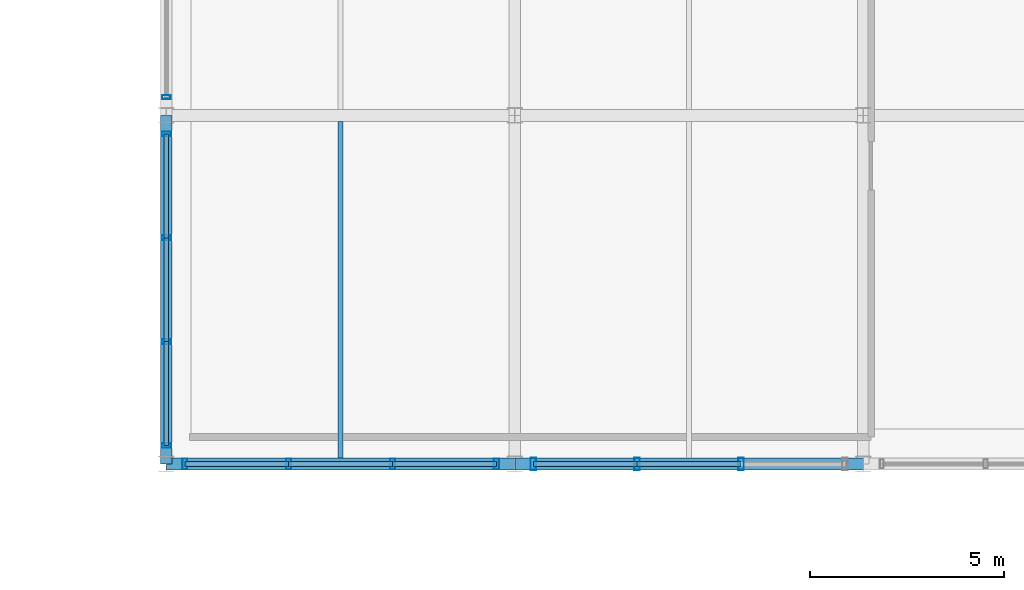
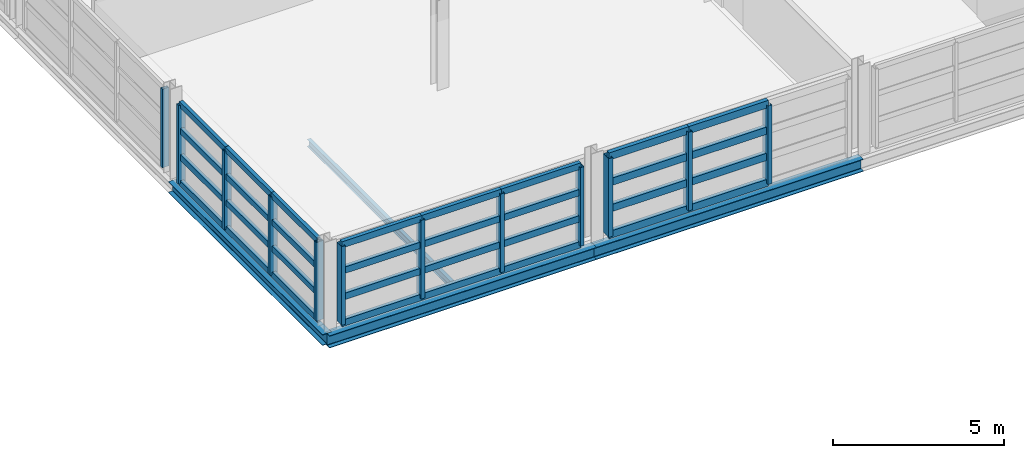
# One storey, part 38 of 86: 44 members, 4 beams, 4 elements without a shape of their own.
"""IFC4 building model written with IfcOpenShell, lengths in metres."""

import ifcopenshell
import ifcopenshell.guid

model = None  # the IFC model being written
_history = None  # IfcOwnerHistory: only IFC2X3 demands one
_inside = {}  # id of a spatial element -> (the spatial element, [elements in it])
_under = {}  # id of a project, library or spatial element -> (it, [spatial elements below it])
_declared = {}  # id of a project -> (the project, [libraries it declares])
_typed = {}  # id of a type object -> (the type object, [elements of that type])
_made_of = {}  # id of a material, layer set ... -> (it, [elements and type objects made of it])


def new_model(schema):
    """Start an empty IFC model of exactly this schema.

    Asked for "IFC4X3", IfcOpenShell would pick the latest addendum, in which some entities
    have other attributes; the version numbers below select the first issue.
    IFC2X3 requires an IfcOwnerHistory on every rooted entity: one is made here for all.
    """
    global model, _history
    if schema == "IFC4X3":
        model = ifcopenshell.file(schema_version=(4, 3, 0, 0))
    else:
        model = ifcopenshell.file(schema=schema)
    _inside.clear()
    _under.clear()
    _declared.clear()
    _typed.clear()
    _made_of.clear()
    _history = None
    if model.schema == "IFC2X3":
        org = make("IfcOrganization", Name="unknown")
        user = make(
            "IfcPersonAndOrganization",
            ThePerson=make("IfcPerson", FamilyName="unknown"),
            TheOrganization=org,
        )
        app = make(
            "IfcApplication",
            ApplicationDeveloper=org,
            Version="unknown",
            ApplicationFullName="unknown",
            ApplicationIdentifier="unknown",
        )
        _history = make(
            "IfcOwnerHistory",
            OwningUser=user,
            OwningApplication=app,
            ChangeAction="ADDED",
            CreationDate=0,
        )
    return model


def make(cls, **values):
    """One entity of the class cls with the attributes given. An attribute that is None is left unset."""
    return model.create_entity(
        cls, **{name: value for name, value in values.items() if value is not None}
    )


def rooted(cls, **values):
    """An entity with a GlobalId (a new one), such as an element, a storey or a relation."""
    return make(cls, GlobalId=ifcopenshell.guid.new(), OwnerHistory=_history, **values)


def si_unit(unit_type, name, prefix=None):
    """IfcSIUnit, for example si_unit("LENGTHUNIT", "METRE", prefix="MILLI")."""
    return make("IfcSIUnit", UnitType=unit_type, Prefix=prefix, Name=name)


def assignment(units):
    """IfcUnitAssignment: the units of a project."""
    return None if units is None else make("IfcUnitAssignment", Units=units)


def point(xyz):
    """IfcCartesianPoint."""
    return None if xyz is None else make("IfcCartesianPoint", Coordinates=xyz)


def direction(xyz):
    """IfcDirection."""
    return None if xyz is None else make("IfcDirection", DirectionRatios=xyz)


def frame(location, z_axis=None, x_axis=None):
    """IfcAxis2Placement3D, a coordinate frame: its origin and axes. An axis left out is left unset."""
    return make(
        "IfcAxis2Placement3D",
        Location=point(location),
        Axis=direction(z_axis),
        RefDirection=direction(x_axis),
    )


def frame_2d(location, x_axis=None):
    """IfcAxis2Placement2D, a coordinate frame in the plane: its origin and x axis."""
    return make(
        "IfcAxis2Placement2D", Location=point(location), RefDirection=direction(x_axis)
    )


def origin():
    """The frame at (0, 0, 0) with its axes left unset."""
    return frame((0.0, 0.0, 0.0))


def origin_2d():
    """The frame at (0, 0) in the plane with its x axis left unset."""
    return frame_2d((0.0, 0.0))


def place(relative_to, where):
    """IfcLocalPlacement: puts the frame where relative to a parent placement (None: the world)."""
    return make(
        "IfcLocalPlacement", PlacementRelTo=relative_to, RelativePlacement=where
    )


def context(
    kind, dimensions, precision=None, world=None, true_north=None, identifier=None
):
    """IfcGeometricRepresentationContext, for example the 3D "Model" context."""
    return make(
        "IfcGeometricRepresentationContext",
        ContextIdentifier=identifier,
        ContextType=kind,
        CoordinateSpaceDimension=dimensions,
        Precision=precision,
        WorldCoordinateSystem=world,
        TrueNorth=true_north,
    )


def subcontext(parent, identifier, kind, view, scale=None):
    """IfcGeometricRepresentationSubContext, for example "Body" below "Model"."""
    return make(
        "IfcGeometricRepresentationSubContext",
        ContextIdentifier=identifier,
        ContextType=kind,
        ParentContext=parent,
        TargetScale=scale,
        TargetView=view,
    )


def project(units=None, contexts=None):
    """IfcProject with its units and contexts."""
    return rooted(
        "IfcProject",
        Name="project",
        RepresentationContexts=contexts,
        UnitsInContext=assignment(units),
    )


def spatial(cls, under=None, at=None, **own):
    """A site, building, storey or space (cls), placed at a placement, below another one or the project."""
    s = rooted(cls, ObjectPlacement=at, **own)
    if under is not None:
        _under.setdefault(under.id(), (under, []))[1].append(s)
    return s


def profile(cls, at=None, kind="AREA", **sizes):
    """A parametric profile (cls). Its sizes go by their IFC names, for example OverallWidth=200.0."""
    return make(cls, ProfileType=kind, Position=at, **sizes)


def hollow_rectangle(**sizes):
    """IfcRectangleHollowProfileDef."""
    return profile("IfcRectangleHollowProfileDef", **sizes)


def i_section(**sizes):
    """IfcIShapeProfileDef."""
    return profile("IfcIShapeProfileDef", **sizes)


def extrude(swept, where, along, depth):
    """IfcExtrudedAreaSolid: the profile swept, set in the frame where, extruded along a direction by depth."""
    return make(
        "IfcExtrudedAreaSolid",
        SweptArea=swept,
        Position=where,
        ExtrudedDirection=direction(along),
        Depth=depth,
    )


def shape(context_of_items, identifier, shape_type, items):
    """IfcShapeRepresentation: the items that make up one representation, for example the "Body"."""
    return make(
        "IfcShapeRepresentation",
        ContextOfItems=context_of_items,
        RepresentationIdentifier=identifier,
        RepresentationType=shape_type,
        Items=items,
    )


def material(Name=None, Category=None):
    """IfcMaterial."""
    return make("IfcMaterial", Name=Name, Category=Category)


def material_profile(
    of_material, cross_section, Name=None, Category=None, Priority=None
):
    """IfcMaterialProfile: a cross section and its material."""
    return make(
        "IfcMaterialProfile",
        Name=Name,
        Material=of_material,
        Profile=cross_section,
        Priority=Priority,
        Category=Category,
    )


def profile_set(profiles, Name=None, composite=None):
    """IfcMaterialProfileSet."""
    return make(
        "IfcMaterialProfileSet",
        Name=Name,
        MaterialProfiles=profiles,
        CompositeProfile=composite,
    )


def made_of(thing, what):
    """Note that an element or type object is made of a material, layer set ...; save() writes the relation."""
    if what is not None:
        _made_of.setdefault(what.id(), (what, []))[1].append(thing)
    return thing


def type_object(cls, material=None, **own):
    """A type object (cls), such as IfcWallType, which elements share."""
    return made_of(rooted(cls, **own), material)


def element(
    cls,
    number,
    at=None,
    inside=None,
    cuts=None,
    type_object=None,
    material=None,
    context=None,
    identifier="Body",
    shape_type=None,
    held_by="IfcProductDefinitionShape",
    body=None,
    shapes=None,
    **own,
):
    """One element of the class cls, such as IfcWall. Its Tag is "e" and its number.

    at: its placement. inside: the storey or other place that contains it. cuts: it is an
    opening in that element (IfcRelVoidsElement). A single representation is given by context,
    identifier, shape_type and body (its items); several are given by shapes. held_by: the class
    of the entity that holds the representations. save() writes the other relations.
    """
    e = rooted(cls, Tag="e%d" % number, ObjectPlacement=at, **own)
    if body is not None:
        shapes = [shape(context, identifier, shape_type, body)]
    if shapes is not None:
        e.Representation = make(held_by, Representations=shapes)
    if inside is not None:
        _inside.setdefault(inside.id(), (inside, []))[1].append(e)
    if cuts is not None:
        rooted(
            "IfcRelVoidsElement", RelatingBuildingElement=cuts, RelatedOpeningElement=e
        )
    if type_object is not None:
        _typed.setdefault(type_object.id(), (type_object, []))[1].append(e)
    return made_of(e, material)


def aggregate(whole, parts):
    """IfcRelAggregates: a whole, such as a stair, and the parts it consists of."""
    return rooted("IfcRelAggregates", RelatingObject=whole, RelatedObjects=parts)


def save(model, path):
    """Write the relations noted so far, then the file.

    IfcRelAggregates (storeys below a building ...), IfcRelContainedInSpatialStructure (elements
    in a storey), IfcRelDefinesByType, IfcRelAssociatesMaterial and IfcRelDeclares: one each for
    every whole, place, type object, material and project.
    """
    for whole, parts in _under.values():
        aggregate(whole, parts)
    for where, things in _inside.values():
        rooted(
            "IfcRelContainedInSpatialStructure",
            RelatedElements=things,
            RelatingStructure=where,
        )
    for kind, things in _typed.values():
        rooted("IfcRelDefinesByType", RelatedObjects=things, RelatingType=kind)
    for what, things in _made_of.values():
        rooted("IfcRelAssociatesMaterial", RelatedObjects=things, RelatingMaterial=what)
    for by, libraries in _declared.values():
        rooted("IfcRelDeclares", RelatingContext=by, RelatedDefinitions=libraries)
    model.write(path)


model = new_model("IFC4")

# Units and contexts
model_context = context("Model", 3, precision=1e-05, world=origin(), true_north=direction((0.0, 1.0)))
body_context = subcontext(model_context, "Body", "Model", "MODEL_VIEW")
ifc_project = project(units=[si_unit("LENGTHUNIT", "METRE"), si_unit("AREAUNIT", "SQUARE_METRE"), si_unit("VOLUMEUNIT", "CUBIC_METRE"), si_unit("PLANEANGLEUNIT", "RADIAN"), si_unit("MASSUNIT", "GRAM", prefix="KILO")], contexts=[model_context])

# Site, building, storey
site_placement = place(None, origin())
site = spatial("IfcSite", under=ifc_project, at=site_placement, CompositionType="ELEMENT")
building_placement = place(site_placement, origin())
building = spatial("IfcBuilding", under=site, at=building_placement, Name="Chuanluo Vaults Station", CompositionType="ELEMENT")
storey_placement = place(building_placement, frame((0.0, 0.0, 14.39990234375)))
storey = spatial("IfcBuildingStorey", under=building, at=storey_placement, Name="L03", CompositionType="ELEMENT", Elevation=14.39990234375)

# Beams
ifc_material_1 = material(Name="Steel Q355C", Category="steel")
ifc_material_profile_1 = material_profile(ifc_material_1, i_section(OverallWidth=0.300048828125, OverallDepth=0.389892578125, WebThickness=0.010009765625, FlangeThickness=0.01611328125, FilletRadius=0.02001953125, at=origin_2d()))
ifc_profile_set_1 = profile_set([ifc_material_profile_1], Name="Steel Q355C")
beam_type_1 = type_object("IfcBeamType", Name="BM-GRD-400", PredefinedType="BEAM", material=ifc_profile_set_1)
beam_1_placement = place(storey_placement, frame((145.0, 67.5, -0.414794921875), z_axis=(0.0, 1.0, 0.0), x_axis=(-1.0, 0.0, 0.0)))
element("IfcBeam", 1, at=beam_1_placement, inside=storey, type_object=beam_type_1, Name="Floor girder BM:GY:L03:0789", PredefinedType="BEAM", context=body_context, shape_type="SweptSolid", body=[
    extrude(i_section(OverallWidth=0.300048828125, OverallDepth=0.389892578125, WebThickness=0.010009765625, FlangeThickness=0.01611328125, FilletRadius=0.02001953125, at=origin_2d()), origin(), (0.0, 0.0, 1.0), 9.0),
])
ifc_material_2 = material(Name="Steel Q355C", Category="steel")
ifc_material_profile_2 = material_profile(ifc_material_2, i_section(OverallWidth=0.300048828125, OverallDepth=0.43994140625, WebThickness=0.010986328125, FlangeThickness=0.01806640625, FilletRadius=0.02001953125, at=origin_2d()))
ifc_profile_set_2 = profile_set([ifc_material_profile_2], Name="Steel Q355C")
beam_type_2 = type_object("IfcBeamType", Name="BM-GRD-450", PredefinedType="USERDEFINED", material=ifc_profile_set_2)
for number, where, z_axis, x_axis, name in (
    (2, (145.0, 67.5, -0.43994140625), (1.0, 0.0, 0.0), (0.0, 1.0, 0.0), "Floor girder BM:GX:L03:0734"),
    (3, (154.0, 67.5, -0.43994140625), (1.0, 0.0, 0.0), (0.0, 1.0, 0.0), "Floor girder BM:GX:L03:0735"),
):
    element("IfcBeam", number, at=place(storey_placement, frame(where, z_axis=z_axis, x_axis=x_axis)), inside=storey, type_object=beam_type_2, Name=name, ObjectType="GIRDER", PredefinedType="USERDEFINED", context=body_context, shape_type="SweptSolid", body=[
        extrude(i_section(OverallWidth=0.300048828125, OverallDepth=0.43994140625, WebThickness=0.010986328125, FlangeThickness=0.01806640625, FilletRadius=0.02001953125, at=origin_2d()), origin(), (0.0, 0.0, 1.0), 9.0),
    ])
ifc_material_3 = material(Name="Steel Q355C", Category="steel")
ifc_material_profile_3 = material_profile(ifc_material_3, i_section(OverallWidth=0.125, OverallDepth=0.25, WebThickness=0.006103515625, FlangeThickness=0.009033203125, FilletRadius=0.011962890625, at=origin_2d()))
ifc_profile_set_3 = profile_set([ifc_material_profile_3], Name="Steel Q355C")
beam_type_3 = type_object("IfcBeamType", Name="BM-SEC-250", PredefinedType="JOIST", material=ifc_profile_set_3)
beam_2_placement = place(storey_placement, frame((149.5, 67.655029296875, -0.344970703125), z_axis=(0.0, 1.0, 0.0), x_axis=(-1.0, 0.0, 0.0)))
element("IfcBeam", 4, at=beam_2_placement, inside=storey, type_object=beam_type_3, Name="Composite secondary joist 0238", PredefinedType="JOIST", context=body_context, shape_type="SweptSolid", body=[
    extrude(i_section(OverallWidth=0.125, OverallDepth=0.25, WebThickness=0.006103515625, FlangeThickness=0.009033203125, FilletRadius=0.011962890625, at=origin_2d()), origin(), (0.0, 0.0, 1.0), 8.68994140625),
])

# Curtain wall, member
ifc_material_4 = material(Name="Anodised aluminium 6063-T6", Category="aluminium")
curtain_wall_type_1 = type_object("IfcCurtainWallType", Name="CW-SYS-24", PredefinedType="NOTDEFINED", material=ifc_material_4)
curtain_wall_1_placement = place(storey_placement, origin())
curtain_wall_1 = element("IfcCurtainWall", 5, at=curtain_wall_1_placement, inside=storey, type_object=curtain_wall_type_1, Name="Operations L03 facade CW", PredefinedType="NOTDEFINED")
ifc_material_5 = material(Name="Anodised aluminium 6063-T6", Category="aluminium")
ifc_material_profile_4 = material_profile(ifc_material_5, hollow_rectangle(XDim=0.10498046875, YDim=0.219970703125, WallThickness=0.006103515625, at=origin_2d()))
ifc_profile_set_4 = profile_set([ifc_material_profile_4], Name="Anodised aluminium 6063-T6")
member_type_1 = type_object("IfcMemberType", Name="CWM-140", PredefinedType="MULLION", material=ifc_profile_set_4)
member_1_placement = place(storey_placement, frame((145.0, 76.97509765625, 0.0), z_axis=(0.0, 0.0, 1.0), x_axis=(0.0, 1.0, 0.0)))
member_1 = element("IfcMember", 6, at=member_1_placement, type_object=member_type_1, Name="Operations L03 facade CW mullion 1", PredefinedType="MULLION", context=body_context, shape_type="SweptSolid", body=[
    extrude(hollow_rectangle(XDim=0.10498046875, YDim=0.219970703125, WallThickness=0.006103515625, at=origin_2d()), origin(), (0.0, 0.0, 1.0), 2.800048828125),
])
aggregate(curtain_wall_1, [member_1])

# Curtain wall, members
ifc_material_6 = material(Name="Anodised aluminium 6063-T6", Category="aluminium")
curtain_wall_type_2 = type_object("IfcCurtainWallType", Name="CW-SYS-23", PredefinedType="NOTDEFINED", material=ifc_material_6)
curtain_wall_2_placement = place(storey_placement, origin())
curtain_wall_2 = element("IfcCurtainWall", 7, at=curtain_wall_2_placement, inside=storey, type_object=curtain_wall_type_2, Name="Operations L03 facade CW", PredefinedType="NOTDEFINED")
ifc_material_7 = material(Name="Anodised aluminium 6063-T6", Category="aluminium")
ifc_material_profile_5 = material_profile(ifc_material_7, hollow_rectangle(XDim=0.1201171875, YDim=0.25, WallThickness=0.006103515625, at=origin_2d()))
ifc_profile_set_5 = profile_set([ifc_material_profile_5], Name="Anodised aluminium 6063-T6")
member_type_2 = type_object("IfcMemberType", Name="CWM-160", PredefinedType="MULLION", material=ifc_profile_set_5)
member_2_placement = place(storey_placement, frame((145.0, 67.97509765625, 0.0), z_axis=(0.0, 0.0, 1.0), x_axis=(0.0, 1.0, 0.0)))
member_2 = element("IfcMember", 8, at=member_2_placement, type_object=member_type_2, Name="Operations L03 facade CW mullion 1", PredefinedType="MULLION", context=body_context, shape_type="SweptSolid", body=[
    extrude(hollow_rectangle(XDim=0.1201171875, YDim=0.25, WallThickness=0.006103515625, at=origin_2d()), origin(), (0.0, 0.0, 1.0), 2.800048828125),
])
member_3_placement = place(storey_placement, frame((145.0, 70.658203125, 0.0), z_axis=(0.0, 0.0, 1.0), x_axis=(0.0, 1.0, 0.0)))
member_3 = element("IfcMember", 9, at=member_3_placement, type_object=member_type_2, Name="Operations L03 facade CW mullion 2", PredefinedType="MULLION", context=body_context, shape_type="SweptSolid", body=[
    extrude(hollow_rectangle(XDim=0.1201171875, YDim=0.25, WallThickness=0.006103515625, at=origin_2d()), origin(), (0.0, 0.0, 1.0), 2.800048828125),
])
member_4_placement = place(storey_placement, frame((145.0, 73.341796875, 0.0), z_axis=(0.0, 0.0, 1.0), x_axis=(0.0, 1.0, 0.0)))
member_4 = element("IfcMember", 10, at=member_4_placement, type_object=member_type_2, Name="Operations L03 facade CW mullion 3", PredefinedType="MULLION", context=body_context, shape_type="SweptSolid", body=[
    extrude(hollow_rectangle(XDim=0.1201171875, YDim=0.25, WallThickness=0.006103515625, at=origin_2d()), origin(), (0.0, 0.0, 1.0), 2.800048828125),
])
member_5_placement = place(storey_placement, frame((145.0, 76.02490234375, 0.0), z_axis=(0.0, 0.0, 1.0), x_axis=(0.0, 1.0, 0.0)))
member_5 = element("IfcMember", 11, at=member_5_placement, type_object=member_type_2, Name="Operations L03 facade CW mullion 4", PredefinedType="MULLION", context=body_context, shape_type="SweptSolid", body=[
    extrude(hollow_rectangle(XDim=0.1201171875, YDim=0.25, WallThickness=0.006103515625, at=origin_2d()), origin(), (0.0, 0.0, 1.0), 2.800048828125),
])

ifc_material_8 = material(Name="Anodised aluminium 6063-T6", Category="aluminium")
curtain_wall_type_3 = type_object("IfcCurtainWallType", Name="CW-SYS-22", PredefinedType="NOTDEFINED", material=ifc_material_8)
curtain_wall_3_placement = place(storey_placement, origin())
curtain_wall_3 = element("IfcCurtainWall", 12, at=curtain_wall_3_placement, inside=storey, type_object=curtain_wall_type_3, Name="Operations L03 facade CW", PredefinedType="NOTDEFINED")
ifc_material_9 = material(Name="Anodised aluminium 6063-T6", Category="aluminium")
ifc_material_profile_6 = material_profile(ifc_material_9, hollow_rectangle(XDim=0.1298828125, YDim=0.280029296875, WallThickness=0.007080078125, at=origin_2d()))
ifc_profile_set_6 = profile_set([ifc_material_profile_6], Name="Anodised aluminium 6063-T6")
member_type_3 = type_object("IfcMemberType", Name="CWM-180", PredefinedType="MULLION", material=ifc_profile_set_6)
member_6_placement = place(storey_placement, frame((153.52490234375, 67.5, 0.0), z_axis=(0.0, 0.0, 1.0), x_axis=(-1.0, 0.0, 0.0)))
member_6 = element("IfcMember", 13, at=member_6_placement, type_object=member_type_3, Name="Operations L03 facade CW mullion 1", PredefinedType="MULLION", context=body_context, shape_type="SweptSolid", body=[
    extrude(hollow_rectangle(XDim=0.1298828125, YDim=0.280029296875, WallThickness=0.007080078125, at=origin_2d()), origin(), (0.0, 0.0, 1.0), 2.800048828125),
])
member_7_placement = place(storey_placement, frame((150.841796875, 67.5, 0.0), z_axis=(0.0, 0.0, 1.0), x_axis=(-1.0, 0.0, 0.0)))
member_7 = element("IfcMember", 14, at=member_7_placement, type_object=member_type_3, Name="Operations L03 facade CW mullion 2", PredefinedType="MULLION", context=body_context, shape_type="SweptSolid", body=[
    extrude(hollow_rectangle(XDim=0.1298828125, YDim=0.280029296875, WallThickness=0.007080078125, at=origin_2d()), origin(), (0.0, 0.0, 1.0), 2.800048828125),
])
member_8_placement = place(storey_placement, frame((148.158203125, 67.5, 0.0), z_axis=(0.0, 0.0, 1.0), x_axis=(-1.0, 0.0, 0.0)))
member_8 = element("IfcMember", 15, at=member_8_placement, type_object=member_type_3, Name="Operations L03 facade CW mullion 3", PredefinedType="MULLION", context=body_context, shape_type="SweptSolid", body=[
    extrude(hollow_rectangle(XDim=0.1298828125, YDim=0.280029296875, WallThickness=0.007080078125, at=origin_2d()), origin(), (0.0, 0.0, 1.0), 2.800048828125),
])
member_9_placement = place(storey_placement, frame((145.47509765625, 67.5, 0.0), z_axis=(0.0, 0.0, 1.0), x_axis=(-1.0, 0.0, 0.0)))
member_9 = element("IfcMember", 16, at=member_9_placement, type_object=member_type_3, Name="Operations L03 facade CW mullion 4", PredefinedType="MULLION", context=body_context, shape_type="SweptSolid", body=[
    extrude(hollow_rectangle(XDim=0.1298828125, YDim=0.280029296875, WallThickness=0.007080078125, at=origin_2d()), origin(), (0.0, 0.0, 1.0), 2.800048828125),
])

ifc_material_10 = material(Name="Anodised aluminium 6063-T6", Category="aluminium")
curtain_wall_type_4 = type_object("IfcCurtainWallType", Name="CW-SYS-21", PredefinedType="NOTDEFINED", material=ifc_material_10)
curtain_wall_4_placement = place(storey_placement, origin())
curtain_wall_4 = element("IfcCurtainWall", 17, at=curtain_wall_4_placement, inside=storey, type_object=curtain_wall_type_4, Name="Operations L03 facade CW", PredefinedType="NOTDEFINED")
ifc_material_11 = material(Name="Anodised aluminium 6063-T6", Category="aluminium")
ifc_material_profile_7 = material_profile(ifc_material_11, hollow_rectangle(XDim=0.139892578125, YDim=0.320068359375, WallThickness=0.008056640625, at=origin_2d()))
ifc_profile_set_7 = profile_set([ifc_material_profile_7], Name="Anodised aluminium 6063-T6")
member_type_4 = type_object("IfcMemberType", Name="CWM-220", PredefinedType="MULLION", material=ifc_profile_set_7)
member_10_placement = place(storey_placement, frame((159.841796875, 67.5, 0.0), z_axis=(0.0, 0.0, 1.0), x_axis=(-1.0, 0.0, 0.0)))
member_10 = element("IfcMember", 18, at=member_10_placement, type_object=member_type_4, Name="Operations L03 facade CW mullion 2", PredefinedType="MULLION", context=body_context, shape_type="SweptSolid", body=[
    extrude(hollow_rectangle(XDim=0.139892578125, YDim=0.320068359375, WallThickness=0.008056640625, at=origin_2d()), origin(), (0.0, 0.0, 1.0), 2.800048828125),
])
member_11_placement = place(storey_placement, frame((157.158203125, 67.5, 0.0), z_axis=(0.0, 0.0, 1.0), x_axis=(-1.0, 0.0, 0.0)))
member_11 = element("IfcMember", 19, at=member_11_placement, type_object=member_type_4, Name="Operations L03 facade CW mullion 3", PredefinedType="MULLION", context=body_context, shape_type="SweptSolid", body=[
    extrude(hollow_rectangle(XDim=0.139892578125, YDim=0.320068359375, WallThickness=0.008056640625, at=origin_2d()), origin(), (0.0, 0.0, 1.0), 2.800048828125),
])
member_12_placement = place(storey_placement, frame((154.47509765625, 67.5, 0.0), z_axis=(0.0, 0.0, 1.0), x_axis=(-1.0, 0.0, 0.0)))
member_12 = element("IfcMember", 20, at=member_12_placement, type_object=member_type_4, Name="Operations L03 facade CW mullion 4", PredefinedType="MULLION", context=body_context, shape_type="SweptSolid", body=[
    extrude(hollow_rectangle(XDim=0.139892578125, YDim=0.320068359375, WallThickness=0.008056640625, at=origin_2d()), origin(), (0.0, 0.0, 1.0), 2.800048828125),
])

# Member
ifc_material_12 = material(Name="Anodised aluminium 6063-T6", Category="aluminium")
ifc_material_profile_8 = material_profile(ifc_material_12, hollow_rectangle(XDim=0.1201171875, YDim=0.205078125, WallThickness=0.006103515625, at=origin_2d()))
ifc_profile_set_8 = profile_set([ifc_material_profile_8], Name="Anodised aluminium 6063-T6")
member_type_5 = type_object("IfcMemberType", Name="CWT-130", PredefinedType="USERDEFINED", material=ifc_profile_set_8)
member_13_placement = place(storey_placement, frame((145.0, 67.97509765625, 0.0), z_axis=(0.0, 1.0, 0.0), x_axis=(-1.0, 0.0, 0.0)))
member_13 = element("IfcMember", 21, at=member_13_placement, type_object=member_type_5, Name="Operations L03 facade CW transom 1.1", ObjectType="TRANSOM", PredefinedType="USERDEFINED", context=body_context, shape_type="SweptSolid", body=[
    extrude(hollow_rectangle(XDim=0.1201171875, YDim=0.205078125, WallThickness=0.006103515625, at=origin_2d()), origin(), (0.0, 0.0, 1.0), 2.68310546875),
])

member_14_placement = place(storey_placement, frame((145.0, 67.97509765625, 0.933349609375), z_axis=(0.0, 1.0, 0.0), x_axis=(-1.0, 0.0, 0.0)))
member_14 = element("IfcMember", 22, at=member_14_placement, type_object=member_type_5, Name="Operations L03 facade CW transom 1.2", ObjectType="TRANSOM", PredefinedType="USERDEFINED", context=body_context, shape_type="SweptSolid", body=[
    extrude(hollow_rectangle(XDim=0.1201171875, YDim=0.205078125, WallThickness=0.006103515625, at=origin_2d()), origin(), (0.0, 0.0, 1.0), 2.68310546875),
])

member_15_placement = place(storey_placement, frame((145.0, 67.97509765625, 1.86669921875), z_axis=(0.0, 1.0, 0.0), x_axis=(-1.0, 0.0, 0.0)))
member_15 = element("IfcMember", 23, at=member_15_placement, type_object=member_type_5, Name="Operations L03 facade CW transom 1.3", ObjectType="TRANSOM", PredefinedType="USERDEFINED", context=body_context, shape_type="SweptSolid", body=[
    extrude(hollow_rectangle(XDim=0.1201171875, YDim=0.205078125, WallThickness=0.006103515625, at=origin_2d()), origin(), (0.0, 0.0, 1.0), 2.68310546875),
])

member_16_placement = place(storey_placement, frame((145.0, 67.97509765625, 2.800048828125), z_axis=(0.0, 1.0, 0.0), x_axis=(-1.0, 0.0, 0.0)))
member_16 = element("IfcMember", 24, at=member_16_placement, type_object=member_type_5, Name="Operations L03 facade CW transom 1.4", ObjectType="TRANSOM", PredefinedType="USERDEFINED", context=body_context, shape_type="SweptSolid", body=[
    extrude(hollow_rectangle(XDim=0.1201171875, YDim=0.205078125, WallThickness=0.006103515625, at=origin_2d()), origin(), (0.0, 0.0, 1.0), 2.68310546875),
])

member_17_placement = place(storey_placement, frame((145.0, 70.658203125, 0.0), z_axis=(0.0, 1.0, 0.0), x_axis=(-1.0, 0.0, 0.0)))
member_17 = element("IfcMember", 25, at=member_17_placement, type_object=member_type_5, Name="Operations L03 facade CW transom 2.1", ObjectType="TRANSOM", PredefinedType="USERDEFINED", context=body_context, shape_type="SweptSolid", body=[
    extrude(hollow_rectangle(XDim=0.1201171875, YDim=0.205078125, WallThickness=0.006103515625, at=origin_2d()), origin(), (0.0, 0.0, 1.0), 2.68359375),
])

member_18_placement = place(storey_placement, frame((145.0, 70.658203125, 0.933349609375), z_axis=(0.0, 1.0, 0.0), x_axis=(-1.0, 0.0, 0.0)))
member_18 = element("IfcMember", 26, at=member_18_placement, type_object=member_type_5, Name="Operations L03 facade CW transom 2.2", ObjectType="TRANSOM", PredefinedType="USERDEFINED", context=body_context, shape_type="SweptSolid", body=[
    extrude(hollow_rectangle(XDim=0.1201171875, YDim=0.205078125, WallThickness=0.006103515625, at=origin_2d()), origin(), (0.0, 0.0, 1.0), 2.68359375),
])

member_19_placement = place(storey_placement, frame((145.0, 70.658203125, 1.86669921875), z_axis=(0.0, 1.0, 0.0), x_axis=(-1.0, 0.0, 0.0)))
member_19 = element("IfcMember", 27, at=member_19_placement, type_object=member_type_5, Name="Operations L03 facade CW transom 2.3", ObjectType="TRANSOM", PredefinedType="USERDEFINED", context=body_context, shape_type="SweptSolid", body=[
    extrude(hollow_rectangle(XDim=0.1201171875, YDim=0.205078125, WallThickness=0.006103515625, at=origin_2d()), origin(), (0.0, 0.0, 1.0), 2.68359375),
])

member_20_placement = place(storey_placement, frame((145.0, 70.658203125, 2.800048828125), z_axis=(0.0, 1.0, 0.0), x_axis=(-1.0, 0.0, 0.0)))
member_20 = element("IfcMember", 28, at=member_20_placement, type_object=member_type_5, Name="Operations L03 facade CW transom 2.4", ObjectType="TRANSOM", PredefinedType="USERDEFINED", context=body_context, shape_type="SweptSolid", body=[
    extrude(hollow_rectangle(XDim=0.1201171875, YDim=0.205078125, WallThickness=0.006103515625, at=origin_2d()), origin(), (0.0, 0.0, 1.0), 2.68359375),
])

member_21_placement = place(storey_placement, frame((145.0, 73.341796875, 0.0), z_axis=(0.0, 1.0, 0.0), x_axis=(-1.0, 0.0, 0.0)))
member_21 = element("IfcMember", 29, at=member_21_placement, type_object=member_type_5, Name="Operations L03 facade CW transom 3.1", ObjectType="TRANSOM", PredefinedType="USERDEFINED", context=body_context, shape_type="SweptSolid", body=[
    extrude(hollow_rectangle(XDim=0.1201171875, YDim=0.205078125, WallThickness=0.006103515625, at=origin_2d()), origin(), (0.0, 0.0, 1.0), 2.68310546875),
])

member_22_placement = place(storey_placement, frame((145.0, 73.341796875, 0.933349609375), z_axis=(0.0, 1.0, 0.0), x_axis=(-1.0, 0.0, 0.0)))
member_22 = element("IfcMember", 30, at=member_22_placement, type_object=member_type_5, Name="Operations L03 facade CW transom 3.2", ObjectType="TRANSOM", PredefinedType="USERDEFINED", context=body_context, shape_type="SweptSolid", body=[
    extrude(hollow_rectangle(XDim=0.1201171875, YDim=0.205078125, WallThickness=0.006103515625, at=origin_2d()), origin(), (0.0, 0.0, 1.0), 2.68310546875),
])

member_23_placement = place(storey_placement, frame((145.0, 73.341796875, 1.86669921875), z_axis=(0.0, 1.0, 0.0), x_axis=(-1.0, 0.0, 0.0)))
member_23 = element("IfcMember", 31, at=member_23_placement, type_object=member_type_5, Name="Operations L03 facade CW transom 3.3", ObjectType="TRANSOM", PredefinedType="USERDEFINED", context=body_context, shape_type="SweptSolid", body=[
    extrude(hollow_rectangle(XDim=0.1201171875, YDim=0.205078125, WallThickness=0.006103515625, at=origin_2d()), origin(), (0.0, 0.0, 1.0), 2.68310546875),
])

member_24_placement = place(storey_placement, frame((145.0, 73.341796875, 2.800048828125), z_axis=(0.0, 1.0, 0.0), x_axis=(-1.0, 0.0, 0.0)))
member_24 = element("IfcMember", 32, at=member_24_placement, type_object=member_type_5, Name="Operations L03 facade CW transom 3.4", ObjectType="TRANSOM", PredefinedType="USERDEFINED", context=body_context, shape_type="SweptSolid", body=[
    extrude(hollow_rectangle(XDim=0.1201171875, YDim=0.205078125, WallThickness=0.006103515625, at=origin_2d()), origin(), (0.0, 0.0, 1.0), 2.68310546875),
])

aggregate(curtain_wall_2, [member_2, member_3, member_4, member_5, member_13, member_14, member_15, member_16, member_17, member_18, member_19, member_20, member_21, member_22, member_23, member_24])

ifc_material_13 = material(Name="Anodised aluminium 6063-T6", Category="aluminium")
ifc_material_profile_9 = material_profile(ifc_material_13, hollow_rectangle(XDim=0.1298828125, YDim=0.22998046875, WallThickness=0.006103515625, at=origin_2d()))
ifc_profile_set_9 = profile_set([ifc_material_profile_9], Name="Anodised aluminium 6063-T6")
member_type_6 = type_object("IfcMemberType", Name="CWT-150", PredefinedType="USERDEFINED", material=ifc_profile_set_9)
member_25_placement = place(storey_placement, frame((153.52490234375, 67.5, 0.0), z_axis=(-1.0, 0.0, 0.0), x_axis=(0.0, -1.0, 0.0)))
member_25 = element("IfcMember", 33, at=member_25_placement, type_object=member_type_6, Name="Operations L03 facade CW transom 1.1", ObjectType="TRANSOM", PredefinedType="USERDEFINED", context=body_context, shape_type="SweptSolid", body=[
    extrude(hollow_rectangle(XDim=0.1298828125, YDim=0.22998046875, WallThickness=0.006103515625, at=origin_2d()), origin(), (0.0, 0.0, 1.0), 2.68310546875),
])

member_26_placement = place(storey_placement, frame((153.52490234375, 67.5, 0.933349609375), z_axis=(-1.0, 0.0, 0.0), x_axis=(0.0, -1.0, 0.0)))
member_26 = element("IfcMember", 34, at=member_26_placement, type_object=member_type_6, Name="Operations L03 facade CW transom 1.2", ObjectType="TRANSOM", PredefinedType="USERDEFINED", context=body_context, shape_type="SweptSolid", body=[
    extrude(hollow_rectangle(XDim=0.1298828125, YDim=0.22998046875, WallThickness=0.006103515625, at=origin_2d()), origin(), (0.0, 0.0, 1.0), 2.68310546875),
])

member_27_placement = place(storey_placement, frame((153.52490234375, 67.5, 1.86669921875), z_axis=(-1.0, 0.0, 0.0), x_axis=(0.0, -1.0, 0.0)))
member_27 = element("IfcMember", 35, at=member_27_placement, type_object=member_type_6, Name="Operations L03 facade CW transom 1.3", ObjectType="TRANSOM", PredefinedType="USERDEFINED", context=body_context, shape_type="SweptSolid", body=[
    extrude(hollow_rectangle(XDim=0.1298828125, YDim=0.22998046875, WallThickness=0.006103515625, at=origin_2d()), origin(), (0.0, 0.0, 1.0), 2.68310546875),
])

member_28_placement = place(storey_placement, frame((153.52490234375, 67.5, 2.800048828125), z_axis=(-1.0, 0.0, 0.0), x_axis=(0.0, -1.0, 0.0)))
member_28 = element("IfcMember", 36, at=member_28_placement, type_object=member_type_6, Name="Operations L03 facade CW transom 1.4", ObjectType="TRANSOM", PredefinedType="USERDEFINED", context=body_context, shape_type="SweptSolid", body=[
    extrude(hollow_rectangle(XDim=0.1298828125, YDim=0.22998046875, WallThickness=0.006103515625, at=origin_2d()), origin(), (0.0, 0.0, 1.0), 2.68310546875),
])

member_29_placement = place(storey_placement, frame((150.841796875, 67.5, 0.0), z_axis=(-1.0, 0.0, 0.0), x_axis=(0.0, -1.0, 0.0)))
member_29 = element("IfcMember", 37, at=member_29_placement, type_object=member_type_6, Name="Operations L03 facade CW transom 2.1", ObjectType="TRANSOM", PredefinedType="USERDEFINED", context=body_context, shape_type="SweptSolid", body=[
    extrude(hollow_rectangle(XDim=0.1298828125, YDim=0.22998046875, WallThickness=0.006103515625, at=origin_2d()), origin(), (0.0, 0.0, 1.0), 2.68359375),
])

member_30_placement = place(storey_placement, frame((150.841796875, 67.5, 0.933349609375), z_axis=(-1.0, 0.0, 0.0), x_axis=(0.0, -1.0, 0.0)))
member_30 = element("IfcMember", 38, at=member_30_placement, type_object=member_type_6, Name="Operations L03 facade CW transom 2.2", ObjectType="TRANSOM", PredefinedType="USERDEFINED", context=body_context, shape_type="SweptSolid", body=[
    extrude(hollow_rectangle(XDim=0.1298828125, YDim=0.22998046875, WallThickness=0.006103515625, at=origin_2d()), origin(), (0.0, 0.0, 1.0), 2.68359375),
])

member_31_placement = place(storey_placement, frame((150.841796875, 67.5, 1.86669921875), z_axis=(-1.0, 0.0, 0.0), x_axis=(0.0, -1.0, 0.0)))
member_31 = element("IfcMember", 39, at=member_31_placement, type_object=member_type_6, Name="Operations L03 facade CW transom 2.3", ObjectType="TRANSOM", PredefinedType="USERDEFINED", context=body_context, shape_type="SweptSolid", body=[
    extrude(hollow_rectangle(XDim=0.1298828125, YDim=0.22998046875, WallThickness=0.006103515625, at=origin_2d()), origin(), (0.0, 0.0, 1.0), 2.68359375),
])

member_32_placement = place(storey_placement, frame((150.841796875, 67.5, 2.800048828125), z_axis=(-1.0, 0.0, 0.0), x_axis=(0.0, -1.0, 0.0)))
member_32 = element("IfcMember", 40, at=member_32_placement, type_object=member_type_6, Name="Operations L03 facade CW transom 2.4", ObjectType="TRANSOM", PredefinedType="USERDEFINED", context=body_context, shape_type="SweptSolid", body=[
    extrude(hollow_rectangle(XDim=0.1298828125, YDim=0.22998046875, WallThickness=0.006103515625, at=origin_2d()), origin(), (0.0, 0.0, 1.0), 2.68359375),
])

member_33_placement = place(storey_placement, frame((148.158203125, 67.5, 0.0), z_axis=(-1.0, 0.0, 0.0), x_axis=(0.0, -1.0, 0.0)))
member_33 = element("IfcMember", 41, at=member_33_placement, type_object=member_type_6, Name="Operations L03 facade CW transom 3.1", ObjectType="TRANSOM", PredefinedType="USERDEFINED", context=body_context, shape_type="SweptSolid", body=[
    extrude(hollow_rectangle(XDim=0.1298828125, YDim=0.22998046875, WallThickness=0.006103515625, at=origin_2d()), origin(), (0.0, 0.0, 1.0), 2.68310546875),
])

member_34_placement = place(storey_placement, frame((148.158203125, 67.5, 0.933349609375), z_axis=(-1.0, 0.0, 0.0), x_axis=(0.0, -1.0, 0.0)))
member_34 = element("IfcMember", 42, at=member_34_placement, type_object=member_type_6, Name="Operations L03 facade CW transom 3.2", ObjectType="TRANSOM", PredefinedType="USERDEFINED", context=body_context, shape_type="SweptSolid", body=[
    extrude(hollow_rectangle(XDim=0.1298828125, YDim=0.22998046875, WallThickness=0.006103515625, at=origin_2d()), origin(), (0.0, 0.0, 1.0), 2.68310546875),
])

member_35_placement = place(storey_placement, frame((148.158203125, 67.5, 1.86669921875), z_axis=(-1.0, 0.0, 0.0), x_axis=(0.0, -1.0, 0.0)))
member_35 = element("IfcMember", 43, at=member_35_placement, type_object=member_type_6, Name="Operations L03 facade CW transom 3.3", ObjectType="TRANSOM", PredefinedType="USERDEFINED", context=body_context, shape_type="SweptSolid", body=[
    extrude(hollow_rectangle(XDim=0.1298828125, YDim=0.22998046875, WallThickness=0.006103515625, at=origin_2d()), origin(), (0.0, 0.0, 1.0), 2.68310546875),
])

member_36_placement = place(storey_placement, frame((148.158203125, 67.5, 2.800048828125), z_axis=(-1.0, 0.0, 0.0), x_axis=(0.0, -1.0, 0.0)))
member_36 = element("IfcMember", 44, at=member_36_placement, type_object=member_type_6, Name="Operations L03 facade CW transom 3.4", ObjectType="TRANSOM", PredefinedType="USERDEFINED", context=body_context, shape_type="SweptSolid", body=[
    extrude(hollow_rectangle(XDim=0.1298828125, YDim=0.22998046875, WallThickness=0.006103515625, at=origin_2d()), origin(), (0.0, 0.0, 1.0), 2.68310546875),
])

aggregate(curtain_wall_3, [member_6, member_7, member_8, member_9, member_25, member_26, member_27, member_28, member_29, member_30, member_31, member_32, member_33, member_34, member_35, member_36])

ifc_material_14 = material(Name="Anodised aluminium 6063-T6", Category="aluminium")
ifc_material_profile_10 = material_profile(ifc_material_14, hollow_rectangle(XDim=0.139892578125, YDim=0.260009765625, WallThickness=0.007080078125, at=origin_2d()))
ifc_profile_set_10 = profile_set([ifc_material_profile_10], Name="Anodised aluminium 6063-T6")
member_type_7 = type_object("IfcMemberType", Name="CWT-180", PredefinedType="USERDEFINED", material=ifc_profile_set_10)
member_37_placement = place(storey_placement, frame((159.841796875, 67.5, 0.0), z_axis=(-1.0, 0.0, 0.0), x_axis=(0.0, -1.0, 0.0)))
member_37 = element("IfcMember", 45, at=member_37_placement, type_object=member_type_7, Name="Operations L03 facade CW transom 2.1", ObjectType="TRANSOM", PredefinedType="USERDEFINED", context=body_context, shape_type="SweptSolid", body=[
    extrude(hollow_rectangle(XDim=0.139892578125, YDim=0.260009765625, WallThickness=0.007080078125, at=origin_2d()), origin(), (0.0, 0.0, 1.0), 2.68359375),
])

member_38_placement = place(storey_placement, frame((159.841796875, 67.5, 0.933349609375), z_axis=(-1.0, 0.0, 0.0), x_axis=(0.0, -1.0, 0.0)))
member_38 = element("IfcMember", 46, at=member_38_placement, type_object=member_type_7, Name="Operations L03 facade CW transom 2.2", ObjectType="TRANSOM", PredefinedType="USERDEFINED", context=body_context, shape_type="SweptSolid", body=[
    extrude(hollow_rectangle(XDim=0.139892578125, YDim=0.260009765625, WallThickness=0.007080078125, at=origin_2d()), origin(), (0.0, 0.0, 1.0), 2.68359375),
])

member_39_placement = place(storey_placement, frame((159.841796875, 67.5, 1.86669921875), z_axis=(-1.0, 0.0, 0.0), x_axis=(0.0, -1.0, 0.0)))
member_39 = element("IfcMember", 47, at=member_39_placement, type_object=member_type_7, Name="Operations L03 facade CW transom 2.3", ObjectType="TRANSOM", PredefinedType="USERDEFINED", context=body_context, shape_type="SweptSolid", body=[
    extrude(hollow_rectangle(XDim=0.139892578125, YDim=0.260009765625, WallThickness=0.007080078125, at=origin_2d()), origin(), (0.0, 0.0, 1.0), 2.68359375),
])

member_40_placement = place(storey_placement, frame((159.841796875, 67.5, 2.800048828125), z_axis=(-1.0, 0.0, 0.0), x_axis=(0.0, -1.0, 0.0)))
member_40 = element("IfcMember", 48, at=member_40_placement, type_object=member_type_7, Name="Operations L03 facade CW transom 2.4", ObjectType="TRANSOM", PredefinedType="USERDEFINED", context=body_context, shape_type="SweptSolid", body=[
    extrude(hollow_rectangle(XDim=0.139892578125, YDim=0.260009765625, WallThickness=0.007080078125, at=origin_2d()), origin(), (0.0, 0.0, 1.0), 2.68359375),
])

member_41_placement = place(storey_placement, frame((157.158203125, 67.5, 0.0), z_axis=(-1.0, 0.0, 0.0), x_axis=(0.0, -1.0, 0.0)))
member_41 = element("IfcMember", 49, at=member_41_placement, type_object=member_type_7, Name="Operations L03 facade CW transom 3.1", ObjectType="TRANSOM", PredefinedType="USERDEFINED", context=body_context, shape_type="SweptSolid", body=[
    extrude(hollow_rectangle(XDim=0.139892578125, YDim=0.260009765625, WallThickness=0.007080078125, at=origin_2d()), origin(), (0.0, 0.0, 1.0), 2.68310546875),
])

member_42_placement = place(storey_placement, frame((157.158203125, 67.5, 0.933349609375), z_axis=(-1.0, 0.0, 0.0), x_axis=(0.0, -1.0, 0.0)))
member_42 = element("IfcMember", 50, at=member_42_placement, type_object=member_type_7, Name="Operations L03 facade CW transom 3.2", ObjectType="TRANSOM", PredefinedType="USERDEFINED", context=body_context, shape_type="SweptSolid", body=[
    extrude(hollow_rectangle(XDim=0.139892578125, YDim=0.260009765625, WallThickness=0.007080078125, at=origin_2d()), origin(), (0.0, 0.0, 1.0), 2.68310546875),
])

member_43_placement = place(storey_placement, frame((157.158203125, 67.5, 1.86669921875), z_axis=(-1.0, 0.0, 0.0), x_axis=(0.0, -1.0, 0.0)))
member_43 = element("IfcMember", 51, at=member_43_placement, type_object=member_type_7, Name="Operations L03 facade CW transom 3.3", ObjectType="TRANSOM", PredefinedType="USERDEFINED", context=body_context, shape_type="SweptSolid", body=[
    extrude(hollow_rectangle(XDim=0.139892578125, YDim=0.260009765625, WallThickness=0.007080078125, at=origin_2d()), origin(), (0.0, 0.0, 1.0), 2.68310546875),
])

member_44_placement = place(storey_placement, frame((157.158203125, 67.5, 2.800048828125), z_axis=(-1.0, 0.0, 0.0), x_axis=(0.0, -1.0, 0.0)))
member_44 = element("IfcMember", 52, at=member_44_placement, type_object=member_type_7, Name="Operations L03 facade CW transom 3.4", ObjectType="TRANSOM", PredefinedType="USERDEFINED", context=body_context, shape_type="SweptSolid", body=[
    extrude(hollow_rectangle(XDim=0.139892578125, YDim=0.260009765625, WallThickness=0.007080078125, at=origin_2d()), origin(), (0.0, 0.0, 1.0), 2.68310546875),
])

aggregate(curtain_wall_4, [member_10, member_11, member_12, member_37, member_38, member_39, member_40, member_41, member_42, member_43, member_44])

save(model, "model.ifc")
